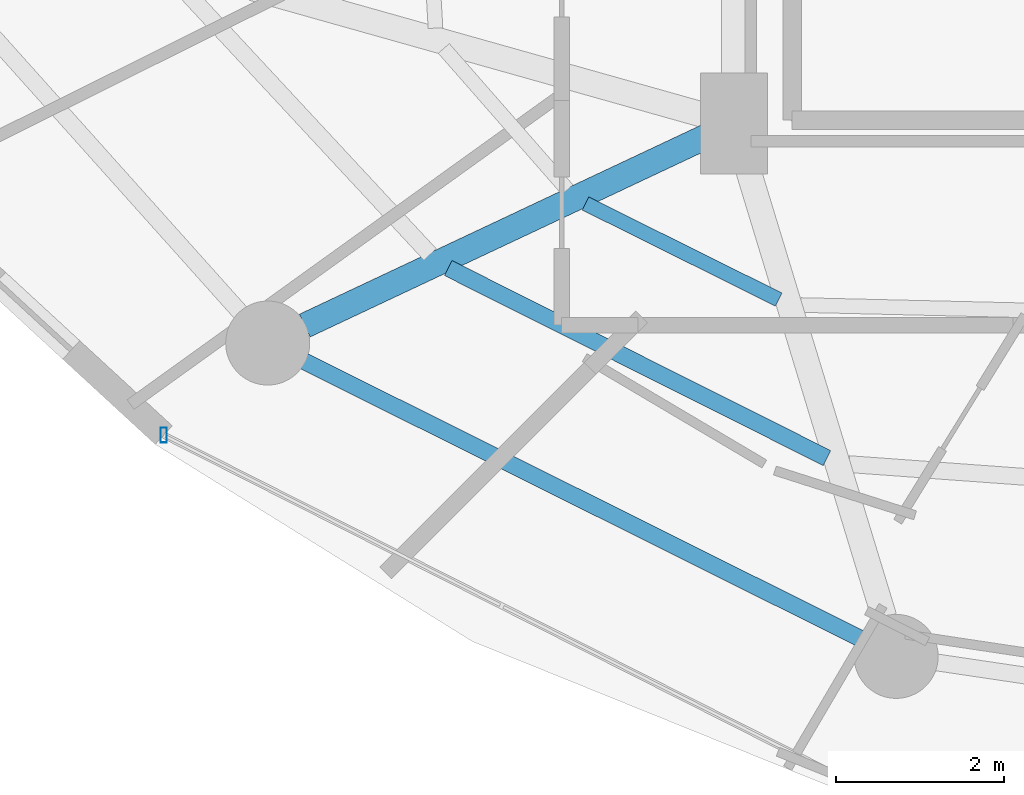
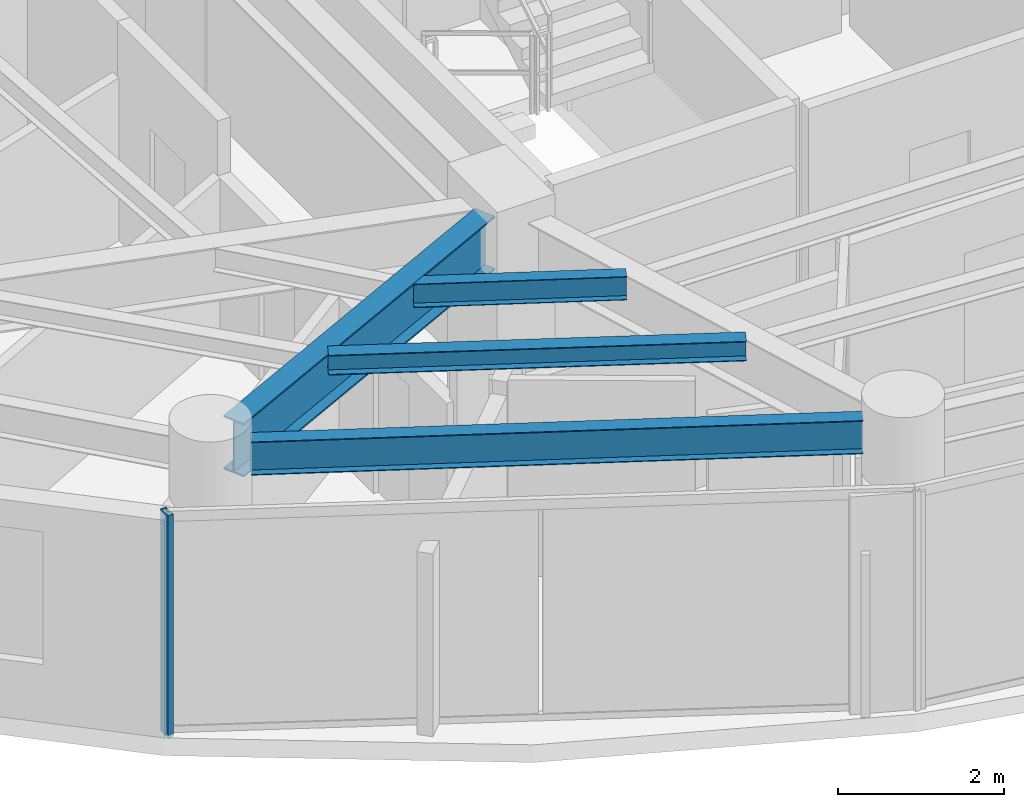
# One storey, part 2 of 29: 4 beams, 1 member, 1 element without a shape of its own.
"""IFC4 building model written with IfcOpenShell, lengths in metres."""

from ifc_helpers import new_model, si_unit, direction, frame, origin, origin_2d, place, context, subcontext, project, spatial, hollow_rectangle, i_section, extrude, material, material_profile, profile_set, type_object, element, aggregate, save


model = new_model("IFC4")

# Units and contexts
model_context = context("Model", 3, precision=1e-05, world=origin(), true_north=direction((0.0, 1.0)))
body_context = subcontext(model_context, "Body", "Model", "MODEL_VIEW")
ifc_project = project(units=[si_unit("LENGTHUNIT", "METRE"), si_unit("AREAUNIT", "SQUARE_METRE"), si_unit("VOLUMEUNIT", "CUBIC_METRE"), si_unit("PLANEANGLEUNIT", "RADIAN"), si_unit("MASSUNIT", "GRAM", prefix="KILO")], contexts=[model_context])

# Site, building, storey
site_placement = place(None, origin())
site = spatial("IfcSite", under=ifc_project, at=site_placement, CompositionType="ELEMENT")
building_placement = place(site_placement, origin())
building = spatial("IfcBuilding", under=site, at=building_placement, Name="Vorneva Point Tower", CompositionType="ELEMENT")
storey_placement = place(building_placement, frame((0.0, 0.0, 171.10009765625)))
storey = spatial("IfcBuildingStorey", under=building, at=storey_placement, Name="L46", CompositionType="ELEMENT", Elevation=171.10009765625)

# Beams
ifc_material_1 = material(Name="Steel S355", Category="steel")
ifc_material_profile_1 = material_profile(ifc_material_1, i_section(OverallWidth=0.300048828125, OverallDepth=0.7880859375, WebThickness=0.014404296875, FlangeThickness=0.02197265625, at=origin_2d()), Name="80Sh1")
ifc_profile_set_1 = profile_set([ifc_material_profile_1], Name="Steel S355")
beam_type_1 = type_object("IfcBeamType", Name="BM-GRD-80Sh1", PredefinedType="USERDEFINED", material=ifc_profile_set_1)
beam_1_placement = place(storey_placement, frame((22.142578125, 14.045654296875, 2.805908203125), z_axis=(0.904761331435, 0.425918927896, 0.0), x_axis=(-0.425918927896, 0.904761331435, 0.0)))
element("IfcBeam", 1, at=beam_1_placement, inside=storey, type_object=beam_type_1, Name="L46 Radial Primary Girder 11", ObjectType="GIRDER", PredefinedType="USERDEFINED", context=body_context, shape_type="SweptSolid", body=[
    extrude(i_section(OverallWidth=0.300048828125, OverallDepth=0.7880859375, WebThickness=0.014404296875, FlangeThickness=0.02197265625, at=origin_2d()), origin(), (0.0, 0.0, 1.0), 5.304931640625),
])
ifc_material_profile_2 = material_profile(ifc_material_1, i_section(OverallWidth=0.199951171875, OverallDepth=0.291015625, WebThickness=0.008056640625, FlangeThickness=0.010986328125, at=origin_2d()), Name="30Sh1")
ifc_profile_set_2 = profile_set([ifc_material_profile_2], Name="Steel S355")
beam_type_2 = type_object("IfcBeamType", Name="BM-SEC-30Sh1", PredefinedType="BEAM", material=ifc_profile_set_2)
beam_2_placement = place(storey_placement, frame((23.85009765625, 14.7294921875, 3.054443359375), z_axis=(0.893855059999, -0.448356032316, 0.0), x_axis=(0.448356032316, 0.893855059999, 0.0)))
element("IfcBeam", 2, at=beam_2_placement, inside=storey, type_object=beam_type_2, Name="L46 Secondary Floor Beam 1.11", PredefinedType="BEAM", context=body_context, shape_type="SweptSolid", body=[
    extrude(i_section(OverallWidth=0.199951171875, OverallDepth=0.291015625, WebThickness=0.008056640625, FlangeThickness=0.010986328125, at=origin_2d()), origin(), (0.0, 0.0, 1.0), 5.041748046875),
])
ifc_material_profile_3 = material_profile(ifc_material_1, i_section(OverallWidth=0.174072265625, OverallDepth=0.345947265625, WebThickness=0.006103515625, FlangeThickness=0.009033203125, at=origin_2d()), Name="35B1")
ifc_profile_set_3 = profile_set([ifc_material_profile_3], Name="Steel S355")
beam_type_3 = type_object("IfcBeamType", Name="BM-SEC-35B1", PredefinedType="BEAM", material=ifc_profile_set_3)
beam_3_placement = place(storey_placement, frame((25.482177734375, 15.498291015625, 3.02685546875), z_axis=(0.895489131745, -0.445083379746, 0.0), x_axis=(0.445083379746, 0.895489131745, 0.0)))
element("IfcBeam", 3, at=beam_3_placement, inside=storey, type_object=beam_type_3, Name="L46 Secondary Floor Beam 2.11", PredefinedType="BEAM", context=body_context, shape_type="SweptSolid", body=[
    extrude(i_section(OverallWidth=0.174072265625, OverallDepth=0.345947265625, WebThickness=0.006103515625, FlangeThickness=0.009033203125, at=origin_2d()), origin(), (0.0, 0.0, 1.0), 2.56884765625),
])
ifc_material_profile_4 = material_profile(ifc_material_1, i_section(OverallWidth=0.199951171875, OverallDepth=0.491943359375, WebThickness=0.0087890625, FlangeThickness=0.011962890625, at=origin_2d()), Name="50B1")
ifc_profile_set_4 = profile_set([ifc_material_profile_4], Name="Steel S355")
beam_type_4 = type_object("IfcBeamType", Name="BM-SPN-50B1", PredefinedType="SPANDREL", material=ifc_profile_set_4)
beam_4_placement = place(storey_placement, frame((22.13525390625, 13.621337890625, 2.953857421875), z_axis=(0.894929061397, -0.446208443518, 0.0), x_axis=(0.446208443518, 0.894929061397, 0.0)))
element("IfcBeam", 4, at=beam_4_placement, inside=storey, type_object=beam_type_4, Name="L46 Perimeter Spandrel Ring Beam 11", PredefinedType="SPANDREL", context=body_context, shape_type="SweptSolid", body=[
    extrude(i_section(OverallWidth=0.199951171875, OverallDepth=0.491943359375, WebThickness=0.0087890625, FlangeThickness=0.011962890625, at=origin_2d()), origin(), (0.0, 0.0, 1.0), 7.385986328125),
])

# Curtain wall, member
ifc_material_2 = material(Name="Pale anodised aluminium", Category="aluminium")
curtain_wall_type = type_object("IfcCurtainWallType", Name="CW-RES-SYS", PredefinedType="NOTDEFINED", material=ifc_material_2)
curtain_wall_placement = place(storey_placement, origin())
curtain_wall = element("IfcCurtainWall", 5, at=curtain_wall_placement, inside=storey, type_object=curtain_wall_type, Name="L46 Unitised Curtain Wall CW-L46-R04", PredefinedType="NOTDEFINED")
ifc_material_profile_5 = material_profile(ifc_material_2, hollow_rectangle(XDim=0.074951171875, YDim=0.179931640625, WallThickness=0.00390625, at=origin_2d()), Name="AL-MUL 180x75x4")
ifc_profile_set_5 = profile_set([ifc_material_profile_5], Name="Pale anodised aluminium")
member_type = type_object("IfcMemberType", Name="CW-MUL-180", PredefinedType="MULLION", material=ifc_profile_set_5)
member_placement = place(storey_placement, frame((20.4638671875, 12.74169921875, -0.0400390625), z_axis=(0.0, 0.0, 1.0), x_axis=(1.0, 0.0, 0.0)))
member = element("IfcMember", 6, at=member_placement, type_object=member_type, Name="CW-L46-R04 Mullion 01", PredefinedType="MULLION", context=body_context, shape_type="SweptSolid", body=[
    extrude(hollow_rectangle(XDim=0.074951171875, YDim=0.179931640625, WallThickness=0.00390625, at=origin_2d()), origin(), (0.0, 0.0, 1.0), 3.27001953125),
])
aggregate(curtain_wall, [member])

save(model, "model.ifc")
